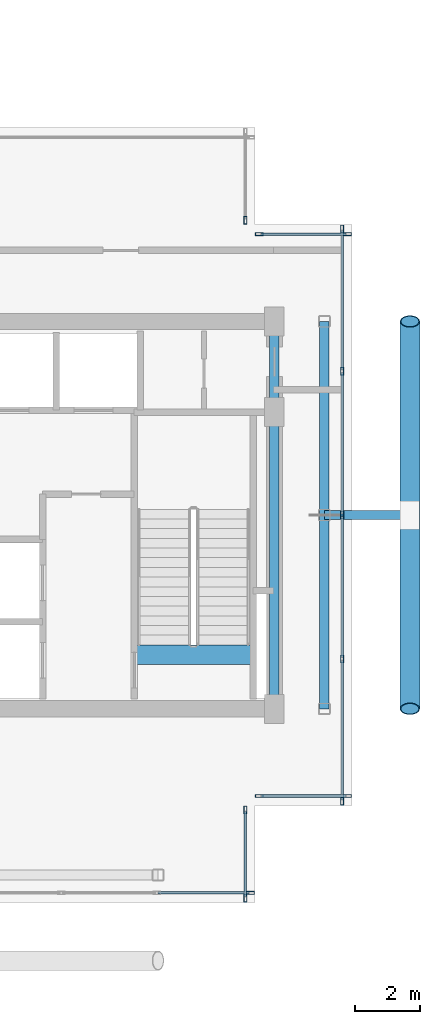
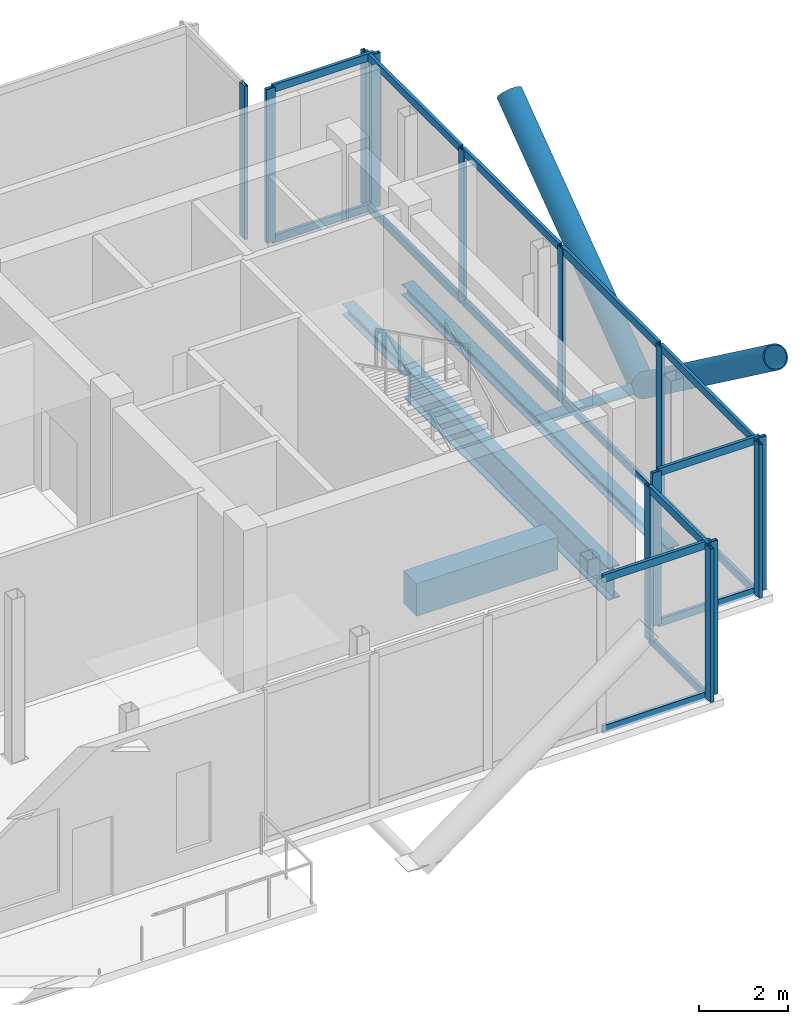
# One storey, part 9 of 16: 32 members, 5 beams, 6 elements without a shape of their own.
"""IFC4 building model written with IfcOpenShell, lengths in metres."""

from ifc_helpers import new_model, si_unit, direction, frame, origin, origin_2d, place, context, subcontext, project, spatial, rectangle, hollow_rectangle, hollow_circle, i_section, extrude, material, layer, layer_set, material_profile, profile_set, type_object, element, aggregate, save


model = new_model("IFC4")

# Units and contexts
model_context = context("Model", 3, precision=1e-05, world=origin(), true_north=direction((0.0, 1.0)))
body_context = subcontext(model_context, "Body", "Model", "MODEL_VIEW")
ifc_project = project(units=[si_unit("LENGTHUNIT", "METRE"), si_unit("AREAUNIT", "SQUARE_METRE"), si_unit("VOLUMEUNIT", "CUBIC_METRE"), si_unit("PLANEANGLEUNIT", "RADIAN"), si_unit("MASSUNIT", "GRAM", prefix="KILO"), si_unit("THERMODYNAMICTEMPERATUREUNIT", "KELVIN"), si_unit("POWERUNIT", "WATT")], contexts=[model_context])

# Site, building, storey
site_placement = place(None, origin())
site = spatial("IfcSite", under=ifc_project, at=site_placement, CompositionType="ELEMENT")
building_placement = place(site_placement, origin())
building = spatial("IfcBuilding", under=site, at=building_placement, Name="Svarakhadi Broadcast Tower", CompositionType="ELEMENT")
storey_placement = place(building_placement, frame((0.0, 0.0, 296.39990234375)))
storey = spatial("IfcBuildingStorey", under=building, at=storey_placement, Name="L75", CompositionType="ELEMENT", Elevation=296.39990234375)

# Curtain wall, member
ifc_material_1 = material(Name="Anodised Bronze Aluminium AA 6063-T6", Category="aluminium")
ifc_layer = layer(ifc_material_1, 0.239990234375)
ifc_layer_set = layer_set([ifc_layer], Name="Anodised Bronze Aluminium AA 6063-T6")
curtain_wall_type = type_object("IfcCurtainWallType", Name="CW_Sys_06", PredefinedType="NOTDEFINED", material=ifc_layer_set)
curtain_wall_1_placement = place(storey_placement, origin())
curtain_wall_1 = element("IfcCurtainWall", 1, at=curtain_wall_1_placement, inside=storey, type_object=curtain_wall_type, Name="L75 Unitised Facade Curtain Wall 11", PredefinedType="NOTDEFINED")
ifc_material_profile_1 = material_profile(ifc_material_1, hollow_rectangle(XDim=0.090087890625, YDim=0.239990234375, WallThickness=0.006103515625, at=origin_2d()), Name="ALU MULLION 240x90x6")
ifc_profile_set_1 = profile_set([ifc_material_profile_1], Name="Anodised Bronze Aluminium AA 6063-T6")
member_type_1 = type_object("IfcMemberType", Name="CW_Sys_06_Mul", PredefinedType="MULLION", material=ifc_profile_set_1)
member_1_placement = place(storey_placement, frame((32.699951171875, 21.135009765625, 0.0), z_axis=(0.0, 0.0, 1.0), x_axis=(1.0, 0.0, 0.0)))
member_1 = element("IfcMember", 2, at=member_1_placement, type_object=member_type_1, Name="CW-06 mullion 2", PredefinedType="MULLION", context=body_context, shape_type="SweptSolid", body=[
    extrude(hollow_rectangle(XDim=0.090087890625, YDim=0.239990234375, WallThickness=0.006103515625, at=origin_2d()), origin(), (0.0, 0.0, 1.0), 4.22509765625),
])
aggregate(curtain_wall_1, [member_1])

# Curtain wall, members
curtain_wall_2_placement = place(storey_placement, origin())
curtain_wall_2 = element("IfcCurtainWall", 3, at=curtain_wall_2_placement, inside=storey, type_object=curtain_wall_type, Name="L75 Unitised Facade Curtain Wall 12", PredefinedType="NOTDEFINED")
member_2_placement = place(storey_placement, frame((33.135009765625, 20.699951171875, 0.0), z_axis=(0.0, 0.0, 1.0), x_axis=(0.0, 1.0, 0.0)))
member_2 = element("IfcMember", 4, at=member_2_placement, type_object=member_type_1, Name="CW-06 mullion 1", PredefinedType="MULLION", context=body_context, shape_type="SweptSolid", body=[
    extrude(hollow_rectangle(XDim=0.090087890625, YDim=0.239990234375, WallThickness=0.006103515625, at=origin_2d()), origin(), (0.0, 0.0, 1.0), 4.22509765625),
])
member_3_placement = place(storey_placement, frame((35.864990234375, 20.699951171875, 0.0), z_axis=(0.0, 0.0, 1.0), x_axis=(0.0, 1.0, 0.0)))
member_3 = element("IfcMember", 5, at=member_3_placement, type_object=member_type_1, Name="CW-06 mullion 2", PredefinedType="MULLION", context=body_context, shape_type="SweptSolid", body=[
    extrude(hollow_rectangle(XDim=0.090087890625, YDim=0.239990234375, WallThickness=0.006103515625, at=origin_2d()), origin(), (0.0, 0.0, 1.0), 4.22509765625),
])

curtain_wall_3_placement = place(storey_placement, origin())
curtain_wall_3 = element("IfcCurtainWall", 6, at=curtain_wall_3_placement, inside=storey, type_object=curtain_wall_type, Name="L75 Unitised Facade Curtain Wall 13", PredefinedType="NOTDEFINED")
member_4_placement = place(storey_placement, frame((35.699951171875, 20.864990234375, 0.0), z_axis=(0.0, 0.0, 1.0), x_axis=(1.0, 0.0, 0.0)))
member_4 = element("IfcMember", 7, at=member_4_placement, type_object=member_type_1, Name="CW-06 mullion 1", PredefinedType="MULLION", context=body_context, shape_type="SweptSolid", body=[
    extrude(hollow_rectangle(XDim=0.090087890625, YDim=0.239990234375, WallThickness=0.006103515625, at=origin_2d()), origin(), (0.0, 0.0, 1.0), 4.22509765625),
])
member_5_placement = place(storey_placement, frame((35.699951171875, 16.455078125, 0.0), z_axis=(0.0, 0.0, 1.0), x_axis=(1.0, 0.0, 0.0)))
member_5 = element("IfcMember", 8, at=member_5_placement, type_object=member_type_1, Name="CW-06 mullion 2", PredefinedType="MULLION", context=body_context, shape_type="SweptSolid", body=[
    extrude(hollow_rectangle(XDim=0.090087890625, YDim=0.239990234375, WallThickness=0.006103515625, at=origin_2d()), origin(), (0.0, 0.0, 1.0), 4.22509765625),
])
member_6_placement = place(storey_placement, frame((35.699951171875, 12.0, 0.0), z_axis=(0.0, 0.0, 1.0), x_axis=(1.0, 0.0, 0.0)))
member_6 = element("IfcMember", 9, at=member_6_placement, type_object=member_type_1, Name="CW-06 mullion 3", PredefinedType="MULLION", context=body_context, shape_type="SweptSolid", body=[
    extrude(hollow_rectangle(XDim=0.090087890625, YDim=0.239990234375, WallThickness=0.006103515625, at=origin_2d()), origin(), (0.0, 0.0, 1.0), 4.22509765625),
])
member_7_placement = place(storey_placement, frame((35.699951171875, 7.544921875, 0.0), z_axis=(0.0, 0.0, 1.0), x_axis=(1.0, 0.0, 0.0)))
member_7 = element("IfcMember", 10, at=member_7_placement, type_object=member_type_1, Name="CW-06 mullion 4", PredefinedType="MULLION", context=body_context, shape_type="SweptSolid", body=[
    extrude(hollow_rectangle(XDim=0.090087890625, YDim=0.239990234375, WallThickness=0.006103515625, at=origin_2d()), origin(), (0.0, 0.0, 1.0), 4.22509765625),
])
member_8_placement = place(storey_placement, frame((35.699951171875, 3.135009765625, 0.0), z_axis=(0.0, 0.0, 1.0), x_axis=(1.0, 0.0, 0.0)))
member_8 = element("IfcMember", 11, at=member_8_placement, type_object=member_type_1, Name="CW-06 mullion 5", PredefinedType="MULLION", context=body_context, shape_type="SweptSolid", body=[
    extrude(hollow_rectangle(XDim=0.090087890625, YDim=0.239990234375, WallThickness=0.006103515625, at=origin_2d()), origin(), (0.0, 0.0, 1.0), 4.22509765625),
])

curtain_wall_4_placement = place(storey_placement, origin())
curtain_wall_4 = element("IfcCurtainWall", 12, at=curtain_wall_4_placement, inside=storey, type_object=curtain_wall_type, Name="L75 Unitised Facade Curtain Wall 14", PredefinedType="NOTDEFINED")
member_9_placement = place(storey_placement, frame((35.864990234375, 3.300048828125, 0.0), z_axis=(0.0, 0.0, 1.0), x_axis=(0.0, -1.0, 0.0)))
member_9 = element("IfcMember", 13, at=member_9_placement, type_object=member_type_1, Name="CW-06 mullion 1", PredefinedType="MULLION", context=body_context, shape_type="SweptSolid", body=[
    extrude(hollow_rectangle(XDim=0.090087890625, YDim=0.239990234375, WallThickness=0.006103515625, at=origin_2d()), origin(), (0.0, 0.0, 1.0), 4.22509765625),
])
member_10_placement = place(storey_placement, frame((33.135009765625, 3.300048828125, 0.0), z_axis=(0.0, 0.0, 1.0), x_axis=(0.0, -1.0, 0.0)))
member_10 = element("IfcMember", 14, at=member_10_placement, type_object=member_type_1, Name="CW-06 mullion 2", PredefinedType="MULLION", context=body_context, shape_type="SweptSolid", body=[
    extrude(hollow_rectangle(XDim=0.090087890625, YDim=0.239990234375, WallThickness=0.006103515625, at=origin_2d()), origin(), (0.0, 0.0, 1.0), 4.22509765625),
])

curtain_wall_5_placement = place(storey_placement, origin())
curtain_wall_5 = element("IfcCurtainWall", 15, at=curtain_wall_5_placement, inside=storey, type_object=curtain_wall_type, Name="L75 Unitised Facade Curtain Wall 15", PredefinedType="NOTDEFINED")
member_11_placement = place(storey_placement, frame((32.699951171875, 2.864990234375, 0.0), z_axis=(0.0, 0.0, 1.0), x_axis=(1.0, 0.0, 0.0)))
member_11 = element("IfcMember", 16, at=member_11_placement, type_object=member_type_1, Name="CW-06 mullion 1", PredefinedType="MULLION", context=body_context, shape_type="SweptSolid", body=[
    extrude(hollow_rectangle(XDim=0.090087890625, YDim=0.239990234375, WallThickness=0.006103515625, at=origin_2d()), origin(), (0.0, 0.0, 1.0), 4.22509765625),
])
member_12_placement = place(storey_placement, frame((32.699951171875, 0.135009765625, 0.0), z_axis=(0.0, 0.0, 1.0), x_axis=(1.0, 0.0, 0.0)))
member_12 = element("IfcMember", 17, at=member_12_placement, type_object=member_type_1, Name="CW-06 mullion 2", PredefinedType="MULLION", context=body_context, shape_type="SweptSolid", body=[
    extrude(hollow_rectangle(XDim=0.090087890625, YDim=0.239990234375, WallThickness=0.006103515625, at=origin_2d()), origin(), (0.0, 0.0, 1.0), 4.22509765625),
])

# Curtain wall, member
curtain_wall_6_placement = place(storey_placement, origin())
curtain_wall_6 = element("IfcCurtainWall", 18, at=curtain_wall_6_placement, inside=storey, type_object=curtain_wall_type, Name="L75 South Curtain Wall 16", PredefinedType="NOTDEFINED")
member_13_placement = place(storey_placement, frame((32.864990234375, 0.300048828125, 0.0), z_axis=(0.0, 0.0, 1.0), x_axis=(0.0, -1.0, 0.0)))
member_13 = element("IfcMember", 19, at=member_13_placement, type_object=member_type_1, Name="CW-06 mullion 1", PredefinedType="MULLION", context=body_context, shape_type="SweptSolid", body=[
    extrude(hollow_rectangle(XDim=0.090087890625, YDim=0.239990234375, WallThickness=0.006103515625, at=origin_2d()), origin(), (0.0, 0.0, 1.0), 4.22509765625),
])

# Member
ifc_material_profile_2 = material_profile(ifc_material_1, hollow_rectangle(XDim=0.080078125, YDim=0.2099609375, WallThickness=0.0048828125, at=origin_2d()), Name="ALU TRANSOM 210x80x5")
ifc_profile_set_2 = profile_set([ifc_material_profile_2], Name="Anodised Bronze Aluminium AA 6063-T6")
member_type_2 = type_object("IfcMemberType", Name="CW_Sys_06_Trn", PredefinedType="USERDEFINED", material=ifc_profile_set_2)
member_14_placement = place(storey_placement, frame((33.179931640625, 20.699951171875, 0.0400390625), z_axis=(1.0, 0.0, 0.0), x_axis=(0.0, 1.0, 0.0)))
member_14 = element("IfcMember", 20, at=member_14_placement, type_object=member_type_2, Name="CW-06 transom 1.1", ObjectType="TRANSOM", PredefinedType="USERDEFINED", context=body_context, shape_type="SweptSolid", body=[
    extrude(hollow_rectangle(XDim=0.080078125, YDim=0.2099609375, WallThickness=0.0048828125, at=origin_2d()), origin(), (0.0, 0.0, 1.0), 2.64013671875),
])

member_15_placement = place(storey_placement, frame((33.179931640625, 20.699951171875, 4.18505859375), z_axis=(1.0, 0.0, 0.0), x_axis=(0.0, 1.0, 0.0)))
member_15 = element("IfcMember", 21, at=member_15_placement, type_object=member_type_2, Name="CW-06 transom 1.2", ObjectType="TRANSOM", PredefinedType="USERDEFINED", context=body_context, shape_type="SweptSolid", body=[
    extrude(hollow_rectangle(XDim=0.080078125, YDim=0.2099609375, WallThickness=0.0048828125, at=origin_2d()), origin(), (0.0, 0.0, 1.0), 2.64013671875),
])

aggregate(curtain_wall_2, [member_2, member_3, member_14, member_15])

member_16_placement = place(storey_placement, frame((35.699951171875, 20.820068359375, 0.0400390625), z_axis=(0.0, -1.0, 0.0), x_axis=(1.0, 0.0, 0.0)))
member_16 = element("IfcMember", 22, at=member_16_placement, type_object=member_type_2, Name="CW-06 transom 1.1", ObjectType="TRANSOM", PredefinedType="USERDEFINED", context=body_context, shape_type="SweptSolid", body=[
    extrude(hollow_rectangle(XDim=0.080078125, YDim=0.2099609375, WallThickness=0.0048828125, at=origin_2d()), origin(), (0.0, 0.0, 1.0), 4.320068359375),
])

member_17_placement = place(storey_placement, frame((35.699951171875, 20.820068359375, 4.18505859375), z_axis=(0.0, -1.0, 0.0), x_axis=(1.0, 0.0, 0.0)))
member_17 = element("IfcMember", 23, at=member_17_placement, type_object=member_type_2, Name="CW-06 transom 1.2", ObjectType="TRANSOM", PredefinedType="USERDEFINED", context=body_context, shape_type="SweptSolid", body=[
    extrude(hollow_rectangle(XDim=0.080078125, YDim=0.2099609375, WallThickness=0.0048828125, at=origin_2d()), origin(), (0.0, 0.0, 1.0), 4.320068359375),
])

member_18_placement = place(storey_placement, frame((35.699951171875, 16.409912109375, 0.0400390625), z_axis=(0.0, -1.0, 0.0), x_axis=(1.0, 0.0, 0.0)))
member_18 = element("IfcMember", 24, at=member_18_placement, type_object=member_type_2, Name="CW-06 transom 2.1", ObjectType="TRANSOM", PredefinedType="USERDEFINED", context=body_context, shape_type="SweptSolid", body=[
    extrude(hollow_rectangle(XDim=0.080078125, YDim=0.2099609375, WallThickness=0.0048828125, at=origin_2d()), origin(), (0.0, 0.0, 1.0), 4.364990234375),
])

member_19_placement = place(storey_placement, frame((35.699951171875, 16.409912109375, 4.18505859375), z_axis=(0.0, -1.0, 0.0), x_axis=(1.0, 0.0, 0.0)))
member_19 = element("IfcMember", 25, at=member_19_placement, type_object=member_type_2, Name="CW-06 transom 2.2", ObjectType="TRANSOM", PredefinedType="USERDEFINED", context=body_context, shape_type="SweptSolid", body=[
    extrude(hollow_rectangle(XDim=0.080078125, YDim=0.2099609375, WallThickness=0.0048828125, at=origin_2d()), origin(), (0.0, 0.0, 1.0), 4.364990234375),
])

member_20_placement = place(storey_placement, frame((35.699951171875, 11.955078125, 0.0400390625), z_axis=(0.0, -1.0, 0.0), x_axis=(1.0, 0.0, 0.0)))
member_20 = element("IfcMember", 26, at=member_20_placement, type_object=member_type_2, Name="CW-06 transom 3.1", ObjectType="TRANSOM", PredefinedType="USERDEFINED", context=body_context, shape_type="SweptSolid", body=[
    extrude(hollow_rectangle(XDim=0.080078125, YDim=0.2099609375, WallThickness=0.0048828125, at=origin_2d()), origin(), (0.0, 0.0, 1.0), 4.364990234375),
])

member_21_placement = place(storey_placement, frame((35.699951171875, 11.955078125, 4.18505859375), z_axis=(0.0, -1.0, 0.0), x_axis=(1.0, 0.0, 0.0)))
member_21 = element("IfcMember", 27, at=member_21_placement, type_object=member_type_2, Name="CW-06 transom 3.2", ObjectType="TRANSOM", PredefinedType="USERDEFINED", context=body_context, shape_type="SweptSolid", body=[
    extrude(hollow_rectangle(XDim=0.080078125, YDim=0.2099609375, WallThickness=0.0048828125, at=origin_2d()), origin(), (0.0, 0.0, 1.0), 4.364990234375),
])

member_22_placement = place(storey_placement, frame((35.699951171875, 7.5, 0.0400390625), z_axis=(0.0, -1.0, 0.0), x_axis=(1.0, 0.0, 0.0)))
member_22 = element("IfcMember", 28, at=member_22_placement, type_object=member_type_2, Name="CW-06 transom 4.1", ObjectType="TRANSOM", PredefinedType="USERDEFINED", context=body_context, shape_type="SweptSolid", body=[
    extrude(hollow_rectangle(XDim=0.080078125, YDim=0.2099609375, WallThickness=0.0048828125, at=origin_2d()), origin(), (0.0, 0.0, 1.0), 4.320068359375),
])

member_23_placement = place(storey_placement, frame((35.699951171875, 7.5, 4.18505859375), z_axis=(0.0, -1.0, 0.0), x_axis=(1.0, 0.0, 0.0)))
member_23 = element("IfcMember", 29, at=member_23_placement, type_object=member_type_2, Name="CW-06 transom 4.2", ObjectType="TRANSOM", PredefinedType="USERDEFINED", context=body_context, shape_type="SweptSolid", body=[
    extrude(hollow_rectangle(XDim=0.080078125, YDim=0.2099609375, WallThickness=0.0048828125, at=origin_2d()), origin(), (0.0, 0.0, 1.0), 4.320068359375),
])

aggregate(curtain_wall_3, [member_4, member_5, member_6, member_7, member_8, member_16, member_17, member_18, member_19, member_20, member_21, member_22, member_23])

member_24_placement = place(storey_placement, frame((35.820068359375, 3.300048828125, 0.0400390625), z_axis=(-1.0, 0.0, 0.0), x_axis=(0.0, -1.0, 0.0)))
member_24 = element("IfcMember", 30, at=member_24_placement, type_object=member_type_2, Name="CW-06 transom 1.1", ObjectType="TRANSOM", PredefinedType="USERDEFINED", context=body_context, shape_type="SweptSolid", body=[
    extrude(hollow_rectangle(XDim=0.080078125, YDim=0.2099609375, WallThickness=0.0048828125, at=origin_2d()), origin(), (0.0, 0.0, 1.0), 2.64013671875),
])

member_25_placement = place(storey_placement, frame((35.820068359375, 3.300048828125, 4.18505859375), z_axis=(-1.0, 0.0, 0.0), x_axis=(0.0, -1.0, 0.0)))
member_25 = element("IfcMember", 31, at=member_25_placement, type_object=member_type_2, Name="CW-06 transom 1.2", ObjectType="TRANSOM", PredefinedType="USERDEFINED", context=body_context, shape_type="SweptSolid", body=[
    extrude(hollow_rectangle(XDim=0.080078125, YDim=0.2099609375, WallThickness=0.0048828125, at=origin_2d()), origin(), (0.0, 0.0, 1.0), 2.64013671875),
])

aggregate(curtain_wall_4, [member_9, member_10, member_24, member_25])

member_26_placement = place(storey_placement, frame((32.699951171875, 2.820068359375, 0.0400390625), z_axis=(0.0, -1.0, 0.0), x_axis=(1.0, 0.0, 0.0)))
member_26 = element("IfcMember", 32, at=member_26_placement, type_object=member_type_2, Name="CW-06 transom 1.1", ObjectType="TRANSOM", PredefinedType="USERDEFINED", context=body_context, shape_type="SweptSolid", body=[
    extrude(hollow_rectangle(XDim=0.080078125, YDim=0.2099609375, WallThickness=0.0048828125, at=origin_2d()), origin(), (0.0, 0.0, 1.0), 2.64013671875),
])

member_27_placement = place(storey_placement, frame((32.699951171875, 2.820068359375, 4.18505859375), z_axis=(0.0, -1.0, 0.0), x_axis=(1.0, 0.0, 0.0)))
member_27 = element("IfcMember", 33, at=member_27_placement, type_object=member_type_2, Name="CW-06 transom 1.2", ObjectType="TRANSOM", PredefinedType="USERDEFINED", context=body_context, shape_type="SweptSolid", body=[
    extrude(hollow_rectangle(XDim=0.080078125, YDim=0.2099609375, WallThickness=0.0048828125, at=origin_2d()), origin(), (0.0, 0.0, 1.0), 2.64013671875),
])

aggregate(curtain_wall_5, [member_11, member_12, member_26, member_27])

member_28_placement = place(storey_placement, frame((32.820068359375, 0.300048828125, 0.0400390625), z_axis=(-1.0, 0.0, 0.0), x_axis=(0.0, -1.0, 0.0)))
member_28 = element("IfcMember", 34, at=member_28_placement, type_object=member_type_2, Name="CW-06 transom 1.1", ObjectType="TRANSOM", PredefinedType="USERDEFINED", context=body_context, shape_type="SweptSolid", body=[
    extrude(hollow_rectangle(XDim=0.080078125, YDim=0.2099609375, WallThickness=0.0048828125, at=origin_2d()), origin(), (0.0, 0.0, 1.0), 2.820068359375),
])

member_29_placement = place(storey_placement, frame((32.820068359375, 0.300048828125, 4.18505859375), z_axis=(-1.0, 0.0, 0.0), x_axis=(0.0, -1.0, 0.0)))
member_29 = element("IfcMember", 35, at=member_29_placement, type_object=member_type_2, Name="CW-06 transom 1.2", ObjectType="TRANSOM", PredefinedType="USERDEFINED", context=body_context, shape_type="SweptSolid", body=[
    extrude(hollow_rectangle(XDim=0.080078125, YDim=0.2099609375, WallThickness=0.0048828125, at=origin_2d()), origin(), (0.0, 0.0, 1.0), 2.820068359375),
])

aggregate(curtain_wall_6, [member_13, member_28, member_29])

# Beam
ifc_material_2 = material(Name="Concrete C50/60 (IS 456 M60)", Category="concrete")
ifc_material_profile_3 = material_profile(ifc_material_2, rectangle(XDim=0.60009765625, YDim=0.89990234375, at=origin_2d()), Name="RC 600x900")
ifc_profile_set_3 = profile_set([ifc_material_profile_3], Name="Concrete C50/60 (IS 456 M60)")
beam_type_1 = type_object("IfcBeamType", Name="Coupling_RC600", PredefinedType="USERDEFINED", material=ifc_profile_set_3)
beam_1_placement = place(storey_placement, frame((29.260009765625, 7.679931640625, -0.449951171875), z_axis=(1.0, 0.0, 0.0), x_axis=(0.0, 1.0, 0.0)))
element("IfcBeam", 36, at=beam_1_placement, inside=storey, type_object=beam_type_1, Name="L75 Stair ST-02 Landing Throat Trimmer Beam CB-01", ObjectType="GIRDER", PredefinedType="USERDEFINED", context=body_context, shape_type="SweptSolid", body=[
    extrude(rectangle(XDim=0.60009765625, YDim=0.89990234375, at=origin_2d()), origin(), (0.0, 0.0, 1.0), 3.679931640625),
])

# Members
ifc_material_3 = material(Name="Steel S460ML (IS 2062 E450BR)", Category="steel")
ifc_material_profile_4 = material_profile(ifc_material_3, hollow_circle(Radius=0.304931640625, WallThickness=0.030029296875, at=origin_2d()), Name="CHS 610x30")
ifc_profile_set_4 = profile_set([ifc_material_profile_4], Name="Steel S460ML (IS 2062 E450BR)")
member_type_3 = type_object("IfcMemberType", Name="Exo_Brace_CHS610", PredefinedType="BRACE", material=ifc_profile_set_4)
for number, where, z_axis, x_axis, name in (
    (37, (37.800048828125, 12.0, -0.33642578125), (0.0, -0.804799780129, 0.593546387323), (1.0, 0.0, 0.0), "L75 Exposed Bronze Exoskeleton Diagonal E02"),
    (38, (37.800048828125, 12.0, -0.33642578125), (0.0, 0.804799780129, 0.593546387323), (-1.0, 0.0, 0.0), "L75 Exposed Bronze Exoskeleton Diagonal E03"),
):
    element("IfcMember", number, at=place(storey_placement, frame(where, z_axis=z_axis, x_axis=x_axis)), inside=storey, type_object=member_type_3, Name=name, PredefinedType="BRACE", context=body_context, shape_type="SweptSolid", body=[
        extrude(hollow_circle(Radius=0.304931640625, WallThickness=0.030029296875, at=origin_2d()), origin(), (0.0, 0.0, 1.0), 7.455322265625),
    ])
ifc_material_profile_5 = material_profile(ifc_material_3, hollow_circle(Radius=0.136474609375, WallThickness=0.012451171875, at=origin_2d()), Name="CHS 273x12.5")
ifc_profile_set_5 = profile_set([ifc_material_profile_5], Name="Steel S460ML (IS 2062 E450BR)")
member_type_4 = type_object("IfcMemberType", Name="Exo_Radial_Strut_Z3", PredefinedType="STRUT", material=ifc_profile_set_5)
member_30_placement = place(storey_placement, frame((37.800048828125, 12.0, -0.33642578125), z_axis=(-1.0, 0.0, 0.0), x_axis=(0.0, -1.0, 0.0)))
element("IfcMember", 39, at=member_30_placement, inside=storey, type_object=member_type_4, Name="L75 Exoskeleton Radial Tie Strut E02", PredefinedType="STRUT", context=body_context, shape_type="SweptSolid", body=[
    extrude(hollow_circle(Radius=0.136474609375, WallThickness=0.012451171875, at=origin_2d()), origin(), (0.0, 0.0, 1.0), 2.650146484375),
])

# Beams
ifc_material_4 = material(Name="Steel S355J2 (IS 2062 E350C)", Category="steel")
ifc_material_profile_6 = material_profile(ifc_material_4, i_section(OverallWidth=0.300048828125, OverallDepth=0.300048828125, WebThickness=0.010986328125, FlangeThickness=0.01904296875, FilletRadius=0.027099609375, at=origin_2d()), Name="WPB 300x300x117")
ifc_profile_set_6 = profile_set([ifc_material_profile_6], Name="Steel S355J2 (IS 2062 E350C)")
beam_type_2 = type_object("IfcBeamType", Name="Girder_WPB300", PredefinedType="USERDEFINED", material=ifc_profile_set_6)
beam_2_placement = place(storey_placement, frame((33.60009765625, 15.199951171875, -0.349853515625), z_axis=(0.0, 1.0, 0.0), x_axis=(-1.0, 0.0, 0.0)))
element("IfcBeam", 40, at=beam_2_placement, inside=storey, type_object=beam_type_2, Name="L75 Primary N-S Girder G044", ObjectType="GIRDER", PredefinedType="USERDEFINED", context=body_context, shape_type="SweptSolid", body=[
    extrude(i_section(OverallWidth=0.300048828125, OverallDepth=0.300048828125, WebThickness=0.010986328125, FlangeThickness=0.01904296875, FilletRadius=0.027099609375, at=origin_2d()), origin(), (0.0, 0.0, 1.0), 2.800048828125),
])
for number, where, z_axis, x_axis, name in (
    (41, (35.14990234375, 6.0, -0.349853515625), (0.0, 1.0, 0.0), (-1.0, 0.0, 0.0), "L75 Primary N-S Girder G045"),
    (42, (35.14990234375, 12.0, -0.349853515625), (0.0, 1.0, 0.0), (-1.0, 0.0, 0.0), "L75 Primary N-S Girder G046"),
):
    element("IfcBeam", number, at=place(storey_placement, frame(where, z_axis=z_axis, x_axis=x_axis)), inside=storey, type_object=beam_type_2, Name=name, ObjectType="GIRDER", PredefinedType="USERDEFINED", context=body_context, shape_type="SweptSolid", body=[
        extrude(i_section(OverallWidth=0.300048828125, OverallDepth=0.300048828125, WebThickness=0.010986328125, FlangeThickness=0.01904296875, FilletRadius=0.027099609375, at=origin_2d()), origin(), (0.0, 0.0, 1.0), 6.0),
    ])
ifc_material_profile_7 = material_profile(ifc_material_3, i_section(OverallWidth=0.300048828125, OverallDepth=0.89990234375, WebThickness=0.0185546875, FlangeThickness=0.034912109375, FilletRadius=0.030029296875, at=origin_2d()), Name="WPB 900x300x291")
ifc_profile_set_7 = profile_set([ifc_material_profile_7], Name="Steel S460ML (IS 2062 E450BR)")
beam_type_3 = type_object("IfcBeamType", Name="Girder_WPB900", PredefinedType="USERDEFINED", material=ifc_profile_set_7)
beam_3_placement = place(storey_placement, frame((33.60009765625, 6.0, -0.64990234375), z_axis=(0.0, 1.0, 0.0), x_axis=(-1.0, 0.0, 0.0)))
element("IfcBeam", 43, at=beam_3_placement, inside=storey, type_object=beam_type_3, Name="L75 Primary N-S Girder G043", ObjectType="GIRDER", PredefinedType="USERDEFINED", context=body_context, shape_type="SweptSolid", body=[
    extrude(i_section(OverallWidth=0.300048828125, OverallDepth=0.89990234375, WebThickness=0.0185546875, FlangeThickness=0.034912109375, FilletRadius=0.030029296875, at=origin_2d()), origin(), (0.0, 0.0, 1.0), 9.199951171875),
])

save(model, "model.ifc")
